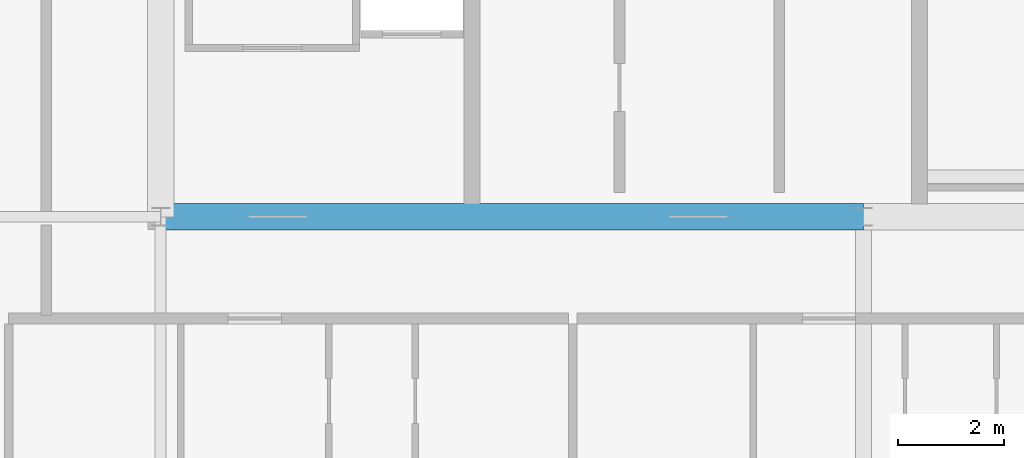
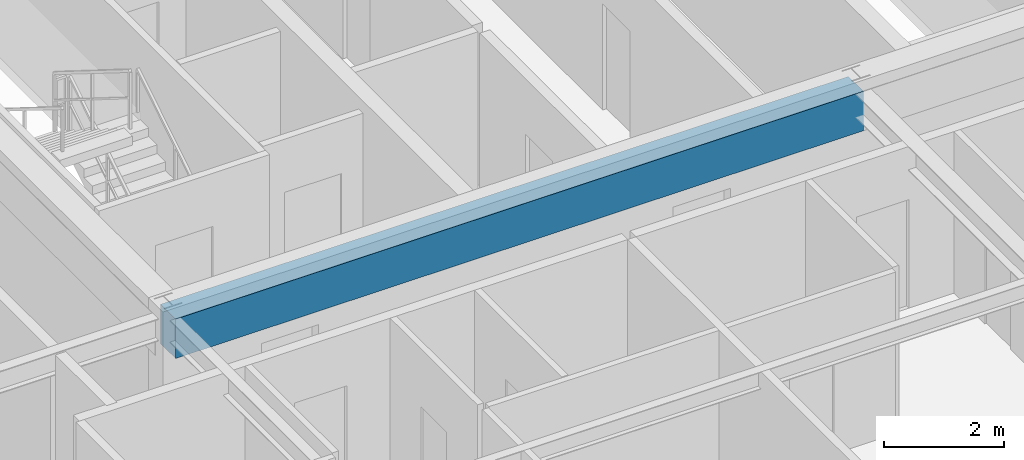
# One storey, part 6 of 33: 1 beam.
"""IFC4 building model written with IfcOpenShell, lengths in metres."""

from ifc_helpers import new_model, si_unit, direction, frame, origin, origin_2d, place, context, subcontext, project, spatial, rectangle, extrude, source, transform, mapped, material, material_profile, profile_set, type_object, element, save


model = new_model("IFC4")

# Units and contexts
model_context = context("Model", 3, precision=1e-05, world=origin(), true_north=direction((0.0, 1.0)))
body_context = subcontext(model_context, "Body", "Model", "MODEL_VIEW")
ifc_project = project(units=[si_unit("LENGTHUNIT", "METRE"), si_unit("AREAUNIT", "SQUARE_METRE"), si_unit("VOLUMEUNIT", "CUBIC_METRE"), si_unit("PLANEANGLEUNIT", "RADIAN"), si_unit("MASSUNIT", "GRAM", prefix="KILO"), si_unit("THERMODYNAMICTEMPERATUREUNIT", "KELVIN"), si_unit("POWERUNIT", "WATT")], contexts=[model_context])

# Site, building, storey
site_placement = place(None, origin())
site = spatial("IfcSite", under=ifc_project, at=site_placement, CompositionType="ELEMENT")
building_placement = place(site_placement, origin())
building = spatial("IfcBuilding", under=site, at=building_placement, Name="Yuzanri Waterfront Tower", CompositionType="ELEMENT")
storey_placement = place(building_placement, frame((0.0, 0.0, 292.60009765625)))
storey = spatial("IfcBuildingStorey", under=building, at=storey_placement, Name="L78", CompositionType="ELEMENT", Elevation=292.60009765625)

# Beam
ifc_material = material(Name="Concrete C50", Category="concrete")
ifc_material_profile = material_profile(ifc_material, rectangle(XDim=0.5, YDim=0.800048828125, at=origin_2d()), Name="RC 500x800")
ifc_profile_set = profile_set([ifc_material_profile], Name="Concrete C50")
beam_type = type_object("IfcBeamType", Name="Core Coupling Lintel Concrete C50 500x800", PredefinedType="LINTEL", material=ifc_profile_set)
shared_shape = source(origin(), body_context, "Body", "SweptSolid", [
    extrude(rectangle(XDim=0.5, YDim=0.800048828125, at=origin_2d()), origin(), (0.0, 0.0, 1.0), 13.199951171875),
])
beam_placement = place(storey_placement, frame((23.800048828125, 19.39990234375, 2.8798828125), z_axis=(1.0, 0.0, 0.0), x_axis=(0.0, 1.0, 0.0)))
element("IfcBeam", 1, at=beam_placement, inside=storey, type_object=beam_type, Name="L78 Core Tie Beam CS1", PredefinedType="LINTEL", context=body_context, shape_type="MappedRepresentation", body=[
    mapped(shared_shape, transform((0.0, 0.0, 0.0), scale=1.0)),
])

save(model, "model.ifc")
